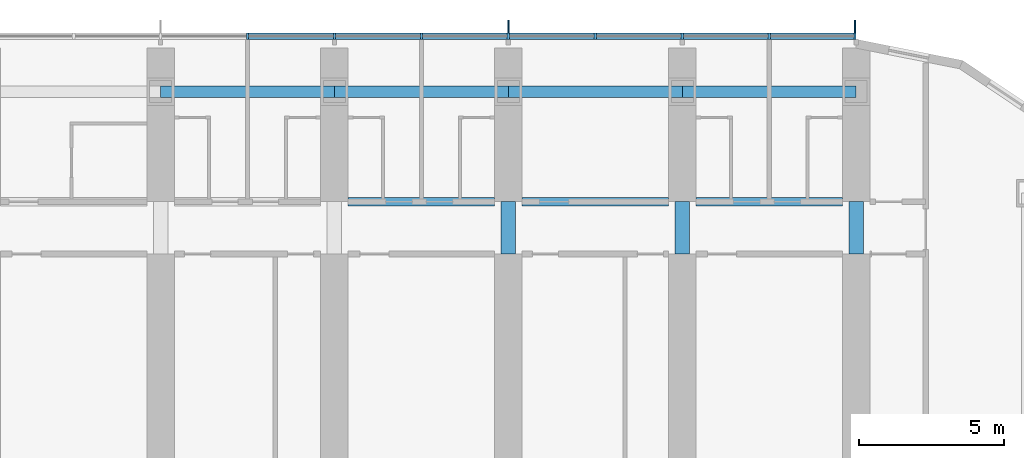
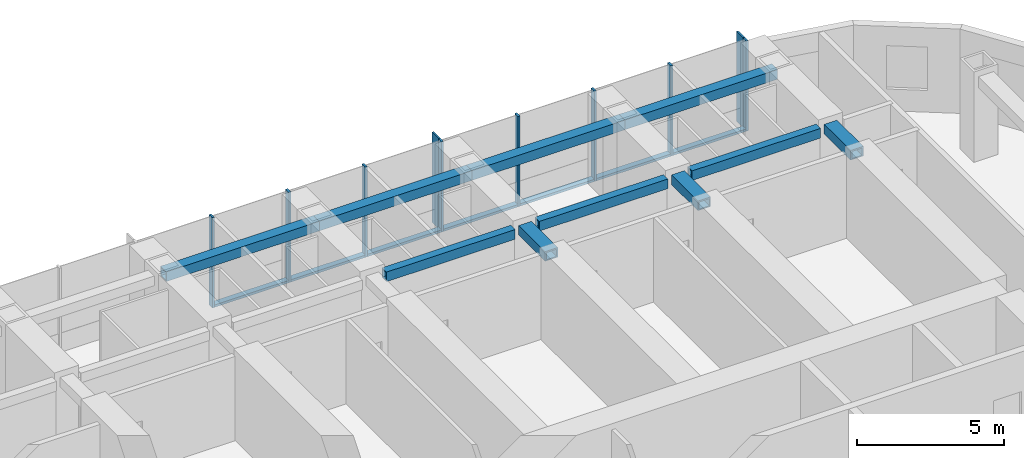
# One storey, part 5 of 21: 17 members, 10 beams, 1 element without a shape of its own.
"""IFC4 building model written with IfcOpenShell, lengths in metres."""

from ifc_helpers import new_model, si_unit, direction, frame, origin, origin_2d, place, context, subcontext, project, spatial, rectangle, hollow_rectangle, extrude, material, material_profile, profile_set, type_object, element, aggregate, save


model = new_model("IFC4")

# Units and contexts
model_context = context("Model", 3, precision=1e-05, world=origin(), true_north=direction((0.0, 1.0)))
body_context = subcontext(model_context, "Body", "Model", "MODEL_VIEW")
ifc_project = project(units=[si_unit("LENGTHUNIT", "METRE"), si_unit("AREAUNIT", "SQUARE_METRE"), si_unit("VOLUMEUNIT", "CUBIC_METRE"), si_unit("PLANEANGLEUNIT", "RADIAN"), si_unit("MASSUNIT", "GRAM", prefix="KILO")], contexts=[model_context])

# Site, building, storey
site_placement = place(None, origin())
site = spatial("IfcSite", under=ifc_project, at=site_placement, CompositionType="ELEMENT")
building_placement = place(site_placement, origin())
building = spatial("IfcBuilding", under=site, at=building_placement, Name="Orbita Commons", CompositionType="ELEMENT")
storey_placement = place(building_placement, frame((0.0, 0.0, 106.89990234375)))
storey = spatial("IfcBuildingStorey", under=building, at=storey_placement, Name="L26", CompositionType="ELEMENT", Elevation=106.89990234375)

# Curtain wall, members
ifc_material_1 = material(Name="Anodised aluminium frame, pale silver", Category="aluminium")
curtain_wall_type = type_object("IfcCurtainWallType", Name="Unitised curtain wall CW-T, vision and spandrel", PredefinedType="NOTDEFINED", material=ifc_material_1)
curtain_wall_placement = place(storey_placement, origin())
curtain_wall = element("IfcCurtainWall", 1, at=curtain_wall_placement, inside=storey, type_object=curtain_wall_type, Name="Curtain wall north L26", PredefinedType="NOTDEFINED")
ifc_material_2 = material(Name="Anodised aluminium, pale silver", Category="aluminium")
ifc_material_profile_1 = material_profile(ifc_material_2, rectangle(XDim=0.080078125, YDim=0.219970703125, at=origin_2d()), Name="AL 80x220")
ifc_profile_set_1 = profile_set([ifc_material_profile_1], Name="Anodised aluminium, pale silver")
member_type_1 = type_object("IfcMemberType", Name="Curtain wall mullion 80x220", PredefinedType="MULLION", material=ifc_profile_set_1)
member_1_placement = place(storey_placement, frame((65.9599609375, 55.510009765625, -0.25), z_axis=(0.0, 0.0, 1.0), x_axis=(-1.0, 0.0, 0.0)))
member_1 = element("IfcMember", 2, at=member_1_placement, type_object=member_type_1, Name="Mullion 1 CW-L26-N", PredefinedType="MULLION", context=body_context, shape_type="SweptSolid", body=[
    extrude(rectangle(XDim=0.080078125, YDim=0.219970703125, at=origin_2d()), origin(), (0.0, 0.0, 1.0), 3.75),
])
member_2_placement = place(storey_placement, frame((63.0, 55.510009765625, -0.25), z_axis=(0.0, 0.0, 1.0), x_axis=(-1.0, 0.0, 0.0)))
member_2 = element("IfcMember", 3, at=member_2_placement, type_object=member_type_1, Name="Mullion 2 CW-L26-N", PredefinedType="MULLION", context=body_context, shape_type="SweptSolid", body=[
    extrude(rectangle(XDim=0.080078125, YDim=0.219970703125, at=origin_2d()), origin(), (0.0, 0.0, 1.0), 3.75),
])
member_3_placement = place(storey_placement, frame((60.0, 55.510009765625, -0.25), z_axis=(0.0, 0.0, 1.0), x_axis=(-1.0, 0.0, 0.0)))
member_3 = element("IfcMember", 4, at=member_3_placement, type_object=member_type_1, Name="Mullion 3 CW-L26-N", PredefinedType="MULLION", context=body_context, shape_type="SweptSolid", body=[
    extrude(rectangle(XDim=0.080078125, YDim=0.219970703125, at=origin_2d()), origin(), (0.0, 0.0, 1.0), 3.75),
])
member_4_placement = place(storey_placement, frame((57.0, 55.510009765625, -0.25), z_axis=(0.0, 0.0, 1.0), x_axis=(-1.0, 0.0, 0.0)))
member_4 = element("IfcMember", 5, at=member_4_placement, type_object=member_type_1, Name="Mullion 4 CW-L26-N", PredefinedType="MULLION", context=body_context, shape_type="SweptSolid", body=[
    extrude(rectangle(XDim=0.080078125, YDim=0.219970703125, at=origin_2d()), origin(), (0.0, 0.0, 1.0), 3.75),
])
member_5_placement = place(storey_placement, frame((54.0, 55.510009765625, -0.25), z_axis=(0.0, 0.0, 1.0), x_axis=(-1.0, 0.0, 0.0)))
member_5 = element("IfcMember", 6, at=member_5_placement, type_object=member_type_1, Name="Mullion 5 CW-L26-N", PredefinedType="MULLION", context=body_context, shape_type="SweptSolid", body=[
    extrude(rectangle(XDim=0.080078125, YDim=0.219970703125, at=origin_2d()), origin(), (0.0, 0.0, 1.0), 3.75),
])
member_6_placement = place(storey_placement, frame((51.0, 55.510009765625, -0.25), z_axis=(0.0, 0.0, 1.0), x_axis=(-1.0, 0.0, 0.0)))
member_6 = element("IfcMember", 7, at=member_6_placement, type_object=member_type_1, Name="Mullion 6 CW-L26-N", PredefinedType="MULLION", context=body_context, shape_type="SweptSolid", body=[
    extrude(rectangle(XDim=0.080078125, YDim=0.219970703125, at=origin_2d()), origin(), (0.0, 0.0, 1.0), 3.75),
])
member_7_placement = place(storey_placement, frame((48.0, 55.510009765625, -0.25), z_axis=(0.0, 0.0, 1.0), x_axis=(-1.0, 0.0, 0.0)))
member_7 = element("IfcMember", 8, at=member_7_placement, type_object=member_type_1, Name="Mullion 7 CW-L26-N", PredefinedType="MULLION", context=body_context, shape_type="SweptSolid", body=[
    extrude(rectangle(XDim=0.080078125, YDim=0.219970703125, at=origin_2d()), origin(), (0.0, 0.0, 1.0), 3.75),
])
member_8_placement = place(storey_placement, frame((45.0, 55.510009765625, -0.25), z_axis=(0.0, 0.0, 1.0), x_axis=(-1.0, 0.0, 0.0)))
member_8 = element("IfcMember", 9, at=member_8_placement, type_object=member_type_1, Name="Mullion 8 CW-L26-N", PredefinedType="MULLION", context=body_context, shape_type="SweptSolid", body=[
    extrude(rectangle(XDim=0.080078125, YDim=0.219970703125, at=origin_2d()), origin(), (0.0, 0.0, 1.0), 3.75),
])
ifc_material_3 = material(Name="Anodised aluminium, pale silver", Category="aluminium")
ifc_material_profile_2 = material_profile(ifc_material_3, rectangle(XDim=0.219970703125, YDim=0.10009765625, at=origin_2d()), Name="AL 220x100")
ifc_profile_set_2 = profile_set([ifc_material_profile_2], Name="Anodised aluminium, pale silver")
member_type_2 = type_object("IfcMemberType", Name="Curtain wall stack transom 220x100", PredefinedType="USERDEFINED", material=ifc_profile_set_2)
member_9_placement = place(storey_placement, frame((65.919921875, 55.510009765625, -0.199951171875), z_axis=(-1.0, 0.0, 0.0), x_axis=(0.0, -1.0, 0.0)))
member_9 = element("IfcMember", 10, at=member_9_placement, type_object=member_type_2, Name="Transom 1.1 CW-L26-N", ObjectType="TRANSOM", PredefinedType="USERDEFINED", context=body_context, shape_type="SweptSolid", body=[
    extrude(rectangle(XDim=0.219970703125, YDim=0.10009765625, at=origin_2d()), origin(), (0.0, 0.0, 1.0), 2.8798828125),
])
member_10_placement = place(storey_placement, frame((62.9599609375, 55.510009765625, -0.199951171875), z_axis=(-1.0, 0.0, 0.0), x_axis=(0.0, -1.0, 0.0)))
member_10 = element("IfcMember", 11, at=member_10_placement, type_object=member_type_2, Name="Transom 2.1 CW-L26-N", ObjectType="TRANSOM", PredefinedType="USERDEFINED", context=body_context, shape_type="SweptSolid", body=[
    extrude(rectangle(XDim=0.219970703125, YDim=0.10009765625, at=origin_2d()), origin(), (0.0, 0.0, 1.0), 2.919921875),
])
member_11_placement = place(storey_placement, frame((59.9599609375, 55.510009765625, -0.199951171875), z_axis=(-1.0, 0.0, 0.0), x_axis=(0.0, -1.0, 0.0)))
member_11 = element("IfcMember", 12, at=member_11_placement, type_object=member_type_2, Name="Transom 3.1 CW-L26-N", ObjectType="TRANSOM", PredefinedType="USERDEFINED", context=body_context, shape_type="SweptSolid", body=[
    extrude(rectangle(XDim=0.219970703125, YDim=0.10009765625, at=origin_2d()), origin(), (0.0, 0.0, 1.0), 2.919921875),
])
member_12_placement = place(storey_placement, frame((56.9599609375, 55.510009765625, -0.199951171875), z_axis=(-1.0, 0.0, 0.0), x_axis=(0.0, -1.0, 0.0)))
member_12 = element("IfcMember", 13, at=member_12_placement, type_object=member_type_2, Name="Transom 4.1 CW-L26-N", ObjectType="TRANSOM", PredefinedType="USERDEFINED", context=body_context, shape_type="SweptSolid", body=[
    extrude(rectangle(XDim=0.219970703125, YDim=0.10009765625, at=origin_2d()), origin(), (0.0, 0.0, 1.0), 2.919921875),
])
member_13_placement = place(storey_placement, frame((53.9599609375, 55.510009765625, -0.199951171875), z_axis=(-1.0, 0.0, 0.0), x_axis=(0.0, -1.0, 0.0)))
member_13 = element("IfcMember", 14, at=member_13_placement, type_object=member_type_2, Name="Transom 5.1 CW-L26-N", ObjectType="TRANSOM", PredefinedType="USERDEFINED", context=body_context, shape_type="SweptSolid", body=[
    extrude(rectangle(XDim=0.219970703125, YDim=0.10009765625, at=origin_2d()), origin(), (0.0, 0.0, 1.0), 2.919921875),
])
member_14_placement = place(storey_placement, frame((50.9599609375, 55.510009765625, -0.199951171875), z_axis=(-1.0, 0.0, 0.0), x_axis=(0.0, -1.0, 0.0)))
member_14 = element("IfcMember", 15, at=member_14_placement, type_object=member_type_2, Name="Transom 6.1 CW-L26-N", ObjectType="TRANSOM", PredefinedType="USERDEFINED", context=body_context, shape_type="SweptSolid", body=[
    extrude(rectangle(XDim=0.219970703125, YDim=0.10009765625, at=origin_2d()), origin(), (0.0, 0.0, 1.0), 2.919921875),
])
member_15_placement = place(storey_placement, frame((47.9599609375, 55.510009765625, -0.199951171875), z_axis=(-1.0, 0.0, 0.0), x_axis=(0.0, -1.0, 0.0)))
member_15 = element("IfcMember", 16, at=member_15_placement, type_object=member_type_2, Name="Transom 7.1 CW-L26-N", ObjectType="TRANSOM", PredefinedType="USERDEFINED", context=body_context, shape_type="SweptSolid", body=[
    extrude(rectangle(XDim=0.219970703125, YDim=0.10009765625, at=origin_2d()), origin(), (0.0, 0.0, 1.0), 2.919921875),
])

# Beams
ifc_material_4 = material(Name="Steel ASTM A572 Gr 50 welded plate", Category="steel")
ifc_material_profile_3 = material_profile(ifc_material_4, hollow_rectangle(XDim=0.300048828125, YDim=0.39990234375, WallThickness=0.0400390625, at=origin_2d()), Name="BOX 400x300x40")
ifc_profile_set_3 = profile_set([ifc_material_profile_3], Name="Steel ASTM A572 Gr 50 welded plate")
beam_type_1 = type_object("IfcBeamType", Name="Steel corridor link BOX 400x300x40", PredefinedType="BEAM", material=ifc_profile_set_3)
for number, where, z_axis, x_axis, name in (
    (17, (48.47509765625, 49.800048828125, 3.300048828125), (1.0, 0.0, 0.0), (0.0, 1.0, 0.0), "Corridor beam NB 9-10 L26"),
    (18, (54.47509765625, 49.800048828125, 3.300048828125), (1.0, 0.0, 0.0), (0.0, 1.0, 0.0), "Corridor beam NB 10-11 L26"),
    (19, (60.47509765625, 49.800048828125, 3.300048828125), (1.0, 0.0, 0.0), (0.0, 1.0, 0.0), "Corridor beam NB 11-12 L26"),
):
    element("IfcBeam", number, at=place(storey_placement, frame(where, z_axis=z_axis, x_axis=x_axis)), inside=storey, type_object=beam_type_1, Name=name, PredefinedType="BEAM", context=body_context, shape_type="SweptSolid", body=[
        extrude(hollow_rectangle(XDim=0.300048828125, YDim=0.39990234375, WallThickness=0.0400390625, at=origin_2d()), origin(), (0.0, 0.0, 1.0), 5.0498046875),
    ])
ifc_material_5 = material(Name="Steel ASTM A572 Gr 50 welded plate", Category="steel")
ifc_material_profile_4 = material_profile(ifc_material_5, hollow_rectangle(XDim=0.5, YDim=0.39990234375, WallThickness=0.050048828125, at=origin_2d()), Name="BOX 400x500x50")
ifc_profile_set_4 = profile_set([ifc_material_profile_4], Name="Steel ASTM A572 Gr 50 welded plate")
beam_type_2 = type_object("IfcBeamType", Name="Steel coupling link BOX 400x500x50", PredefinedType="LINTEL", material=ifc_profile_set_4)
for number, where, z_axis, x_axis, name in (
    (20, (54.0, 48.0, 3.300048828125), (0.0, 1.0, 0.0), (-1.0, 0.0, 0.0), "Coupling beam 10 north L26"),
    (21, (60.0, 48.0, 3.300048828125), (0.0, 1.0, 0.0), (-1.0, 0.0, 0.0), "Coupling beam 11 north L26"),
    (22, (66.0, 48.0, 3.300048828125), (0.0, 1.0, 0.0), (-1.0, 0.0, 0.0), "Coupling beam 12 north L26"),
):
    element("IfcBeam", number, at=place(storey_placement, frame(where, z_axis=z_axis, x_axis=x_axis)), inside=storey, type_object=beam_type_2, Name=name, PredefinedType="LINTEL", context=body_context, shape_type="SweptSolid", body=[
        extrude(hollow_rectangle(XDim=0.5, YDim=0.39990234375, WallThickness=0.050048828125, at=origin_2d()), origin(), (0.0, 0.0, 1.0), 1.800048828125),
    ])
ifc_material_6 = material(Name="Steel ASTM A572 Gr 50 welded plate", Category="steel")
ifc_material_profile_5 = material_profile(ifc_material_6, hollow_rectangle(XDim=0.39990234375, YDim=0.39990234375, WallThickness=0.0400390625, at=origin_2d()), Name="BOX 400x400x40")
ifc_profile_set_5 = profile_set([ifc_material_profile_5], Name="Steel ASTM A572 Gr 50 welded plate")
beam_type_3 = type_object("IfcBeamType", Name="Steel spandrel BOX 400x400x40", PredefinedType="SPANDREL", material=ifc_profile_set_5)
for number, where, z_axis, x_axis, name in (
    (23, (42.0, 53.60009765625, 3.300048828125), (1.0, 0.0, 0.0), (0.0, 1.0, 0.0), "Spandrel beam E 8-9 L26"),
    (24, (48.0, 53.60009765625, 3.300048828125), (1.0, 0.0, 0.0), (0.0, 1.0, 0.0), "Spandrel beam E 9-10 L26"),
    (25, (54.0, 53.60009765625, 3.300048828125), (1.0, 0.0, 0.0), (0.0, 1.0, 0.0), "Spandrel beam E 10-11 L26"),
    (26, (60.0, 53.60009765625, 3.300048828125), (1.0, 0.0, 0.0), (0.0, 1.0, 0.0), "Spandrel beam E 11-12 L26"),
):
    element("IfcBeam", number, at=place(storey_placement, frame(where, z_axis=z_axis, x_axis=x_axis)), inside=storey, type_object=beam_type_3, Name=name, PredefinedType="SPANDREL", context=body_context, shape_type="SweptSolid", body=[
        extrude(hollow_rectangle(XDim=0.39990234375, YDim=0.39990234375, WallThickness=0.0400390625, at=origin_2d()), origin(), (0.0, 0.0, 1.0), 6.0),
    ])

# Member
ifc_material_7 = material(Name="Anodised aluminium, pale silver", Category="aluminium")
ifc_material_profile_6 = material_profile(ifc_material_7, rectangle(XDim=0.06005859375, YDim=0.449951171875, at=origin_2d()), Name="FIN 60x450")
ifc_profile_set_6 = profile_set([ifc_material_profile_6], Name="Anodised aluminium, pale silver")
member_type_3 = type_object("IfcMemberType", Name="Vertical fin 60x450 pale aluminium", PredefinedType="USERDEFINED", material=ifc_profile_set_6)
member_16_placement = place(storey_placement, frame((65.9599609375, 55.844970703125, -0.25), z_axis=(0.0, 0.0, 1.0), x_axis=(-1.0, 0.0, 0.0)))
member_16 = element("IfcMember", 27, at=member_16_placement, type_object=member_type_3, Name="Fin 1 CW-L26-N", ObjectType="FIN", PredefinedType="USERDEFINED", context=body_context, shape_type="SweptSolid", body=[
    extrude(rectangle(XDim=0.06005859375, YDim=0.449951171875, at=origin_2d()), origin(), (0.0, 0.0, 1.0), 3.75),
])

member_17_placement = place(storey_placement, frame((54.0, 55.844970703125, -0.25), z_axis=(0.0, 0.0, 1.0), x_axis=(-1.0, 0.0, 0.0)))
member_17 = element("IfcMember", 28, at=member_17_placement, type_object=member_type_3, Name="Fin 5 CW-L26-N", ObjectType="FIN", PredefinedType="USERDEFINED", context=body_context, shape_type="SweptSolid", body=[
    extrude(rectangle(XDim=0.06005859375, YDim=0.449951171875, at=origin_2d()), origin(), (0.0, 0.0, 1.0), 3.75),
])

aggregate(curtain_wall, [member_1, member_16, member_2, member_3, member_4, member_5, member_17, member_6, member_7, member_8, member_9, member_10, member_11, member_12, member_13, member_14, member_15])

save(model, "model.ifc")
